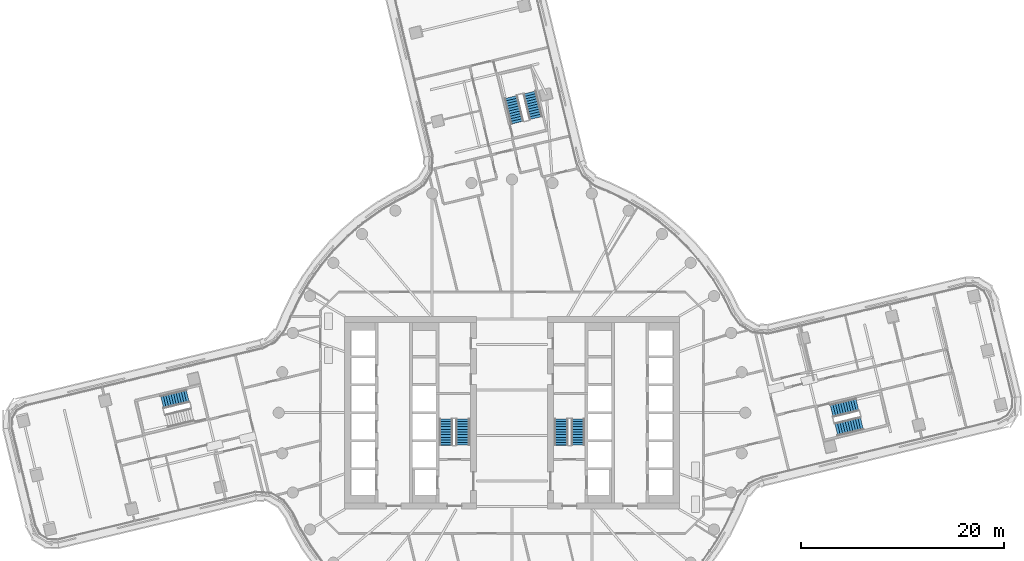
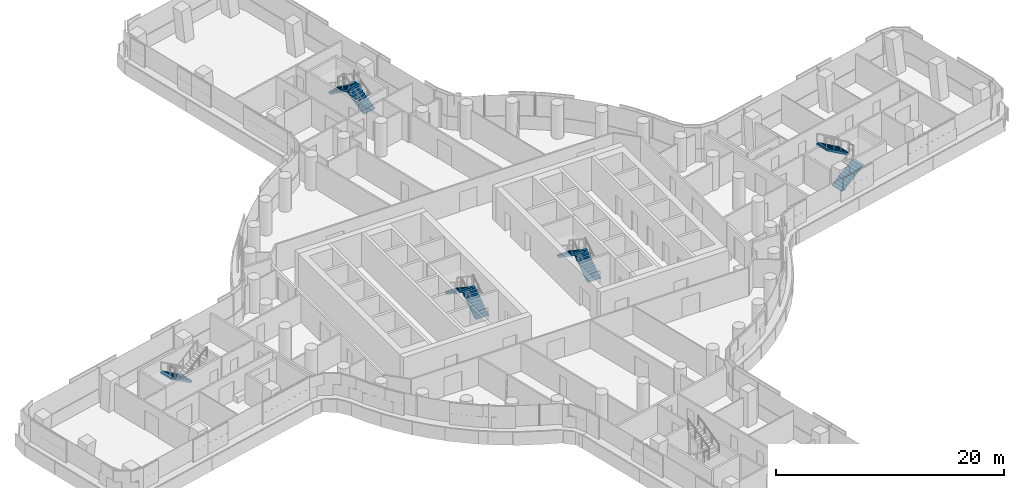
# One storey, part 24 of 33: 9 stair flights, 5 elements without a shape of their own.
"""IFC4 building model written with IfcOpenShell, lengths in metres."""

from ifc_helpers import new_model, si_unit, direction, frame, origin, place, context, subcontext, project, spatial, polyline, outline, extrude, material, type_object, element, aggregate, save


model = new_model("IFC4")

# Units and contexts
model_context = context("Model", 3, precision=1e-05, world=origin(), true_north=direction((0.0, 1.0)))
body_context = subcontext(model_context, "Body", "Model", "MODEL_VIEW")
ifc_project = project(units=[si_unit("LENGTHUNIT", "METRE"), si_unit("AREAUNIT", "SQUARE_METRE"), si_unit("VOLUMEUNIT", "CUBIC_METRE"), si_unit("PLANEANGLEUNIT", "RADIAN"), si_unit("MASSUNIT", "GRAM", prefix="KILO")], contexts=[model_context])

# Site, building, storey
site_placement = place(None, origin())
site = spatial("IfcSite", under=ifc_project, at=site_placement, CompositionType="ELEMENT")
building_placement = place(site_placement, origin())
building = spatial("IfcBuilding", under=site, at=building_placement, Name="Tamarind Cross Interchange Tower", CompositionType="ELEMENT")
storey_placement = place(building_placement, frame((0.0, 0.0, 83.5)))
storey = spatial("IfcBuildingStorey", under=building, at=storey_placement, Name="L19", CompositionType="ELEMENT", Elevation=83.5)

# Stair, stair flights
ifc_material_1 = material(Name="Exit stair")
stair_type = type_object("IfcStairType", Name="Exit stair", PredefinedType="HALF_TURN_STAIR", material=ifc_material_1)
stair_1_placement = place(storey_placement, origin())
stair_1 = element("IfcStair", 1, at=stair_1_placement, inside=storey, type_object=stair_type, Name="L19 exit stair ST1", PredefinedType="HALF_TURN_STAIR")
ifc_material_2 = material(Name="Exit stair flight")
stair_flight_type = type_object("IfcStairFlightType", Name="Exit stair flight", PredefinedType="STRAIGHT", material=ifc_material_2)
stair_flight_1_placement = place(storey_placement, frame((-4.85009765625, -3.199951171875, 0.0), z_axis=(0.0, 0.0, 1.0), x_axis=(0.0, 1.0, 0.0)))
stair_flight_1 = element("IfcStairFlight", 2, at=stair_flight_1_placement, type_object=stair_flight_type, Name="ST1 flight 1", NumberOfRisers=11, NumberOfTreads=10, PredefinedType="STRAIGHT", RiserHeight=0.170454545, TreadLength=0.26, context=body_context, shape_type="SweptSolid", body=[
    extrude(outline(polyline([(0.0, 0.0), (0.0, 0.17041015625), (0.260009765625, 0.17041015625), (0.260009765625, 0.3408203125), (0.52001953125, 0.3408203125), (0.52001953125, 0.511474609375), (0.780029296875, 0.511474609375), (0.780029296875, 0.681884765625), (1.0400390625, 0.681884765625), (1.0400390625, 0.852294921875), (1.300048828125, 0.852294921875), (1.300048828125, 1.022705078125), (1.56005859375, 1.022705078125), (1.56005859375, 1.193115234375), (1.820068359375, 1.193115234375), (1.820068359375, 1.363525390625), (2.080078125, 1.363525390625), (2.080078125, 1.5341796875), (2.340087890625, 1.5341796875), (2.340087890625, 1.70458984375), (2.60009765625, 1.70458984375), (2.60009765625, 1.875), (2.60009765625, 1.525390625), (0.2734375, 0.0), (0.0, 0.0)])), frame((0.0, 0.64990234375, 0.0), z_axis=(0.0, -1.0, 0.0), x_axis=(1.0, 0.0, 0.0)), (0.0, 0.0, 1.0), 1.300048828125),
])
stair_flight_2_placement = place(storey_placement, frame((-6.5, -0.60009765625, 1.875), z_axis=(0.0, 0.0, 1.0), x_axis=(0.0, -1.0, 0.0)))
stair_flight_2 = element("IfcStairFlight", 3, at=stair_flight_2_placement, type_object=stair_flight_type, Name="ST1 flight 2", NumberOfRisers=11, NumberOfTreads=10, PredefinedType="STRAIGHT", RiserHeight=0.170454545, TreadLength=0.26, context=body_context, shape_type="SweptSolid", body=[
    extrude(outline(polyline([(0.0, 0.0), (0.0, 0.17041015625), (0.260009765625, 0.17041015625), (0.260009765625, 0.3408203125), (0.52001953125, 0.3408203125), (0.52001953125, 0.511474609375), (0.780029296875, 0.511474609375), (0.780029296875, 0.681884765625), (1.0400390625, 0.681884765625), (1.0400390625, 0.852294921875), (1.300048828125, 0.852294921875), (1.300048828125, 1.022705078125), (1.56005859375, 1.022705078125), (1.56005859375, 1.193115234375), (1.820068359375, 1.193115234375), (1.820068359375, 1.363525390625), (2.080078125, 1.363525390625), (2.080078125, 1.5341796875), (2.340087890625, 1.5341796875), (2.340087890625, 1.70458984375), (2.60009765625, 1.70458984375), (2.60009765625, 1.7548828125), (2.612060546875, 1.7548828125), (2.612060546875, 1.533203125), (0.2734375, 0.0), (0.0, 0.0)])), frame((0.0, 0.64990234375, 0.0), z_axis=(0.0, -1.0, 0.0), x_axis=(1.0, 0.0, 0.0)), (0.0, 0.0, 1.0), 1.300048828125),
])
aggregate(stair_1, [stair_flight_1, stair_flight_2])

stair_2_placement = place(storey_placement, origin())
stair_2 = element("IfcStair", 4, at=stair_2_placement, inside=storey, type_object=stair_type, Name="L19 exit stair ST2", PredefinedType="HALF_TURN_STAIR")
stair_flight_3_placement = place(storey_placement, frame((6.5, -3.199951171875, 0.0), z_axis=(0.0, 0.0, 1.0), x_axis=(0.0, 1.0, 0.0)))
stair_flight_3 = element("IfcStairFlight", 5, at=stair_flight_3_placement, type_object=stair_flight_type, Name="ST2 flight 1", NumberOfRisers=11, NumberOfTreads=10, PredefinedType="STRAIGHT", RiserHeight=0.170454545, TreadLength=0.26, context=body_context, shape_type="SweptSolid", body=[
    extrude(outline(polyline([(0.0, 0.0), (0.0, 0.17041015625), (0.260009765625, 0.17041015625), (0.260009765625, 0.3408203125), (0.52001953125, 0.3408203125), (0.52001953125, 0.511474609375), (0.780029296875, 0.511474609375), (0.780029296875, 0.681884765625), (1.0400390625, 0.681884765625), (1.0400390625, 0.852294921875), (1.300048828125, 0.852294921875), (1.300048828125, 1.022705078125), (1.56005859375, 1.022705078125), (1.56005859375, 1.193115234375), (1.820068359375, 1.193115234375), (1.820068359375, 1.363525390625), (2.080078125, 1.363525390625), (2.080078125, 1.5341796875), (2.340087890625, 1.5341796875), (2.340087890625, 1.70458984375), (2.60009765625, 1.70458984375), (2.60009765625, 1.875), (2.60009765625, 1.525390625), (0.2734375, 0.0), (0.0, 0.0)])), frame((0.0, 0.64990234375, 0.0), z_axis=(0.0, -1.0, 0.0), x_axis=(1.0, 0.0, 0.0)), (0.0, 0.0, 1.0), 1.300048828125),
])
stair_flight_4_placement = place(storey_placement, frame((4.85009765625, -0.60009765625, 1.875), z_axis=(0.0, 0.0, 1.0), x_axis=(0.0, -1.0, 0.0)))
stair_flight_4 = element("IfcStairFlight", 6, at=stair_flight_4_placement, type_object=stair_flight_type, Name="ST2 flight 2", NumberOfRisers=11, NumberOfTreads=10, PredefinedType="STRAIGHT", RiserHeight=0.170454545, TreadLength=0.26, context=body_context, shape_type="SweptSolid", body=[
    extrude(outline(polyline([(0.0, 0.0), (0.0, 0.17041015625), (0.260009765625, 0.17041015625), (0.260009765625, 0.3408203125), (0.52001953125, 0.3408203125), (0.52001953125, 0.511474609375), (0.780029296875, 0.511474609375), (0.780029296875, 0.681884765625), (1.0400390625, 0.681884765625), (1.0400390625, 0.852294921875), (1.300048828125, 0.852294921875), (1.300048828125, 1.022705078125), (1.56005859375, 1.022705078125), (1.56005859375, 1.193115234375), (1.820068359375, 1.193115234375), (1.820068359375, 1.363525390625), (2.080078125, 1.363525390625), (2.080078125, 1.5341796875), (2.340087890625, 1.5341796875), (2.340087890625, 1.70458984375), (2.60009765625, 1.70458984375), (2.60009765625, 1.7548828125), (2.612060546875, 1.7548828125), (2.612060546875, 1.533203125), (0.2734375, 0.0), (0.0, 0.0)])), frame((0.0, 0.64990234375, 0.0), z_axis=(0.0, -1.0, 0.0), x_axis=(1.0, 0.0, 0.0)), (0.0, 0.0, 1.0), 1.300048828125),
])
aggregate(stair_2, [stair_flight_3, stair_flight_4])

stair_3_placement = place(storey_placement, origin())
stair_3 = element("IfcStair", 7, at=stair_3_placement, inside=storey, type_object=stair_type, Name="L19 exit stair ST3", PredefinedType="HALF_TURN_STAIR")
stair_flight_5_placement = place(storey_placement, frame((31.967529296875, -1.655517578125, 0.0), z_axis=(0.0, 0.0, 1.0), x_axis=(0.972033185193, 0.234843537027, 0.0)))
stair_flight_5 = element("IfcStairFlight", 8, at=stair_flight_5_placement, type_object=stair_flight_type, Name="ST3 flight 1", NumberOfRisers=11, NumberOfTreads=10, PredefinedType="STRAIGHT", RiserHeight=0.170454545, TreadLength=0.26, context=body_context, shape_type="SweptSolid", body=[
    extrude(outline(polyline([(0.0, 0.0), (0.0, 0.17041015625), (0.260009765625, 0.17041015625), (0.260009765625, 0.3408203125), (0.52001953125, 0.3408203125), (0.52001953125, 0.511474609375), (0.780029296875, 0.511474609375), (0.780029296875, 0.681884765625), (1.0400390625, 0.681884765625), (1.0400390625, 0.852294921875), (1.300048828125, 0.852294921875), (1.300048828125, 1.022705078125), (1.56005859375, 1.022705078125), (1.56005859375, 1.193115234375), (1.820068359375, 1.193115234375), (1.820068359375, 1.363525390625), (2.080078125, 1.363525390625), (2.080078125, 1.5341796875), (2.340087890625, 1.5341796875), (2.340087890625, 1.70458984375), (2.60009765625, 1.70458984375), (2.60009765625, 1.875), (2.60009765625, 1.525390625), (0.2734375, 0.0), (0.0, 0.0)])), frame((0.0, 0.64990234375, 0.0), z_axis=(0.0, -1.0, 0.0), x_axis=(1.0, 0.0, 0.0)), (0.0, 0.0, 1.0), 1.300048828125),
])
stair_flight_6_placement = place(storey_placement, frame((34.048583984375, 0.802001953125, 1.875), z_axis=(0.0, 0.0, 1.0), x_axis=(-0.972033185193, -0.234843537027, 0.0)))
stair_flight_6 = element("IfcStairFlight", 9, at=stair_flight_6_placement, type_object=stair_flight_type, Name="ST3 flight 2", NumberOfRisers=11, NumberOfTreads=10, PredefinedType="STRAIGHT", RiserHeight=0.170454545, TreadLength=0.26, context=body_context, shape_type="SweptSolid", body=[
    extrude(outline(polyline([(0.0, 0.0), (0.0, 0.17041015625), (0.260009765625, 0.17041015625), (0.260009765625, 0.3408203125), (0.52001953125, 0.3408203125), (0.52001953125, 0.511474609375), (0.780029296875, 0.511474609375), (0.780029296875, 0.681884765625), (1.0400390625, 0.681884765625), (1.0400390625, 0.852294921875), (1.300048828125, 0.852294921875), (1.300048828125, 1.022705078125), (1.56005859375, 1.022705078125), (1.56005859375, 1.193115234375), (1.820068359375, 1.193115234375), (1.820068359375, 1.363525390625), (2.080078125, 1.363525390625), (2.080078125, 1.5341796875), (2.340087890625, 1.5341796875), (2.340087890625, 1.70458984375), (2.60009765625, 1.70458984375), (2.60009765625, 1.7548828125), (2.612060546875, 1.7548828125), (2.612060546875, 1.533203125), (0.2734375, 0.0), (0.0, 0.0)])), frame((0.0, 0.64990234375, 0.0), z_axis=(0.0, -1.0, 0.0), x_axis=(1.0, 0.0, 0.0)), (0.0, 0.0, 1.0), 1.300048828125),
])
aggregate(stair_3, [stair_flight_5, stair_flight_6])

stair_4_placement = place(storey_placement, origin())
stair_4 = element("IfcStair", 10, at=stair_4_placement, inside=storey, type_object=stair_type, Name="L19 exit stair ST4", PredefinedType="HALF_TURN_STAIR")
stair_flight_7_placement = place(storey_placement, frame((2.360107421875, 29.051513671875, 0.0), z_axis=(0.0, 0.0, 1.0), x_axis=(-0.234843537027, 0.972033185193, 0.0)))
stair_flight_7 = element("IfcStairFlight", 11, at=stair_flight_7_placement, type_object=stair_flight_type, Name="ST4 flight 1", NumberOfRisers=11, NumberOfTreads=10, PredefinedType="STRAIGHT", RiserHeight=0.170454545, TreadLength=0.26, context=body_context, shape_type="SweptSolid", body=[
    extrude(outline(polyline([(0.0, 0.0), (0.0, 0.17041015625), (0.260009765625, 0.17041015625), (0.260009765625, 0.3408203125), (0.52001953125, 0.3408203125), (0.52001953125, 0.511474609375), (0.780029296875, 0.511474609375), (0.780029296875, 0.681884765625), (1.0400390625, 0.681884765625), (1.0400390625, 0.852294921875), (1.300048828125, 0.852294921875), (1.300048828125, 1.022705078125), (1.56005859375, 1.022705078125), (1.56005859375, 1.193115234375), (1.820068359375, 1.193115234375), (1.820068359375, 1.363525390625), (2.080078125, 1.363525390625), (2.080078125, 1.5341796875), (2.340087890625, 1.5341796875), (2.340087890625, 1.70458984375), (2.60009765625, 1.70458984375), (2.60009765625, 1.875), (2.60009765625, 1.525390625), (0.2734375, 0.0), (0.0, 0.0)])), frame((0.0, 0.64990234375, 0.0), z_axis=(0.0, -1.0, 0.0), x_axis=(1.0, 0.0, 0.0)), (0.0, 0.0, 1.0), 1.300048828125),
])
stair_flight_8_placement = place(storey_placement, frame((-0.097412109375, 31.132568359375, 1.875), z_axis=(0.0, 0.0, 1.0), x_axis=(0.234843537027, -0.972033185193, 0.0)))
stair_flight_8 = element("IfcStairFlight", 12, at=stair_flight_8_placement, type_object=stair_flight_type, Name="ST4 flight 2", NumberOfRisers=11, NumberOfTreads=10, PredefinedType="STRAIGHT", RiserHeight=0.170454545, TreadLength=0.26, context=body_context, shape_type="SweptSolid", body=[
    extrude(outline(polyline([(0.0, 0.0), (0.0, 0.17041015625), (0.260009765625, 0.17041015625), (0.260009765625, 0.3408203125), (0.52001953125, 0.3408203125), (0.52001953125, 0.511474609375), (0.780029296875, 0.511474609375), (0.780029296875, 0.681884765625), (1.0400390625, 0.681884765625), (1.0400390625, 0.852294921875), (1.300048828125, 0.852294921875), (1.300048828125, 1.022705078125), (1.56005859375, 1.022705078125), (1.56005859375, 1.193115234375), (1.820068359375, 1.193115234375), (1.820068359375, 1.363525390625), (2.080078125, 1.363525390625), (2.080078125, 1.5341796875), (2.340087890625, 1.5341796875), (2.340087890625, 1.70458984375), (2.60009765625, 1.70458984375), (2.60009765625, 1.7548828125), (2.612060546875, 1.7548828125), (2.612060546875, 1.533203125), (0.2734375, 0.0), (0.0, 0.0)])), frame((0.0, 0.64990234375, 0.0), z_axis=(0.0, -1.0, 0.0), x_axis=(1.0, 0.0, 0.0)), (0.0, 0.0, 1.0), 1.300048828125),
])
aggregate(stair_4, [stair_flight_7, stair_flight_8])

# Stair, stair flight
stair_5_placement = place(storey_placement, origin())
stair_5 = element("IfcStair", 13, at=stair_5_placement, inside=storey, type_object=stair_type, Name="L19 exit stair ST5", PredefinedType="HALF_TURN_STAIR")
stair_flight_9_placement = place(storey_placement, frame((-31.967529296875, 1.655517578125, 0.0), z_axis=(0.0, 0.0, 1.0), x_axis=(-0.972033185193, -0.234843537027, 0.0)))
stair_flight_9 = element("IfcStairFlight", 14, at=stair_flight_9_placement, type_object=stair_flight_type, Name="ST5 flight 1", NumberOfRisers=11, NumberOfTreads=10, PredefinedType="STRAIGHT", RiserHeight=0.170454545, TreadLength=0.26, context=body_context, shape_type="SweptSolid", body=[
    extrude(outline(polyline([(0.0, 0.0), (0.0, 0.17041015625), (0.260009765625, 0.17041015625), (0.260009765625, 0.3408203125), (0.52001953125, 0.3408203125), (0.52001953125, 0.511474609375), (0.780029296875, 0.511474609375), (0.780029296875, 0.681884765625), (1.0400390625, 0.681884765625), (1.0400390625, 0.852294921875), (1.300048828125, 0.852294921875), (1.300048828125, 1.022705078125), (1.56005859375, 1.022705078125), (1.56005859375, 1.193115234375), (1.820068359375, 1.193115234375), (1.820068359375, 1.363525390625), (2.080078125, 1.363525390625), (2.080078125, 1.5341796875), (2.340087890625, 1.5341796875), (2.340087890625, 1.70458984375), (2.60009765625, 1.70458984375), (2.60009765625, 1.875), (2.60009765625, 1.525390625), (0.2734375, 0.0), (0.0, 0.0)])), frame((0.0, 0.64990234375, 0.0), z_axis=(0.0, -1.0, 0.0), x_axis=(1.0, 0.0, 0.0)), (0.0, 0.0, 1.0), 1.300048828125),
])
aggregate(stair_5, [stair_flight_9])

save(model, "model.ifc")
